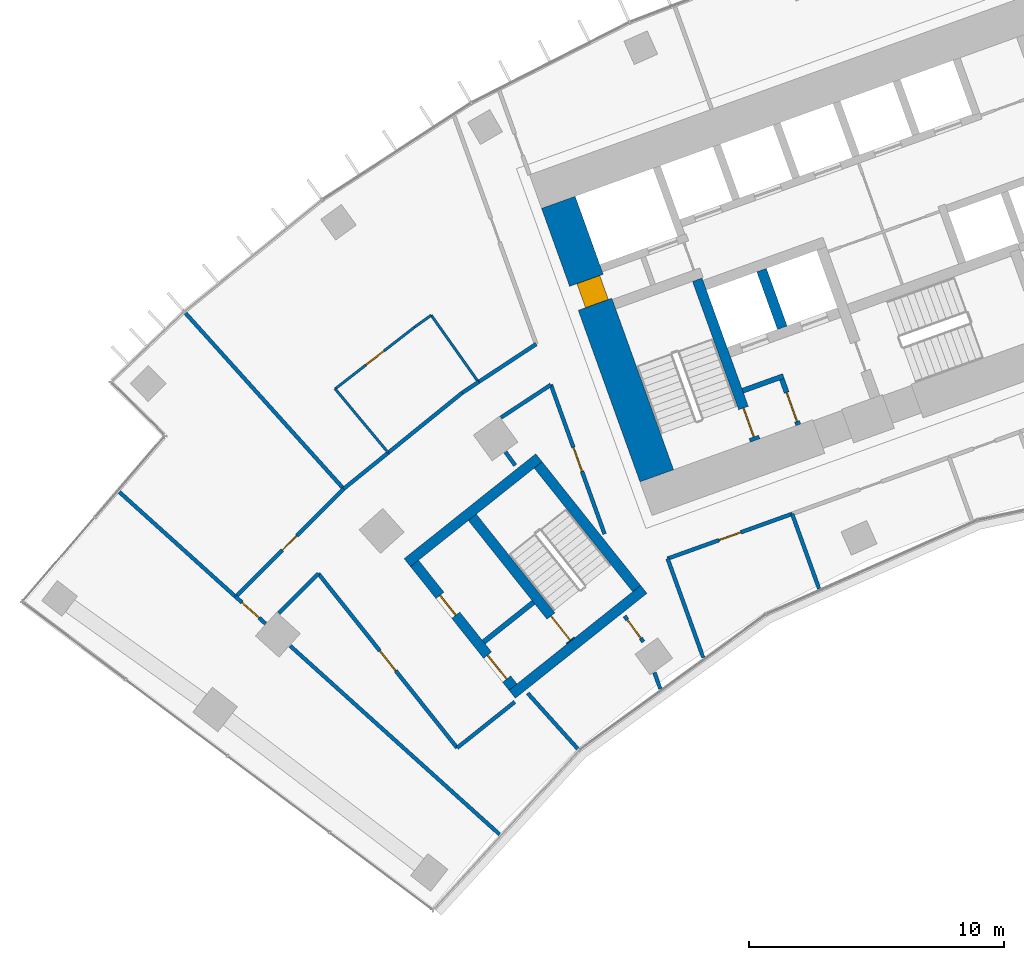
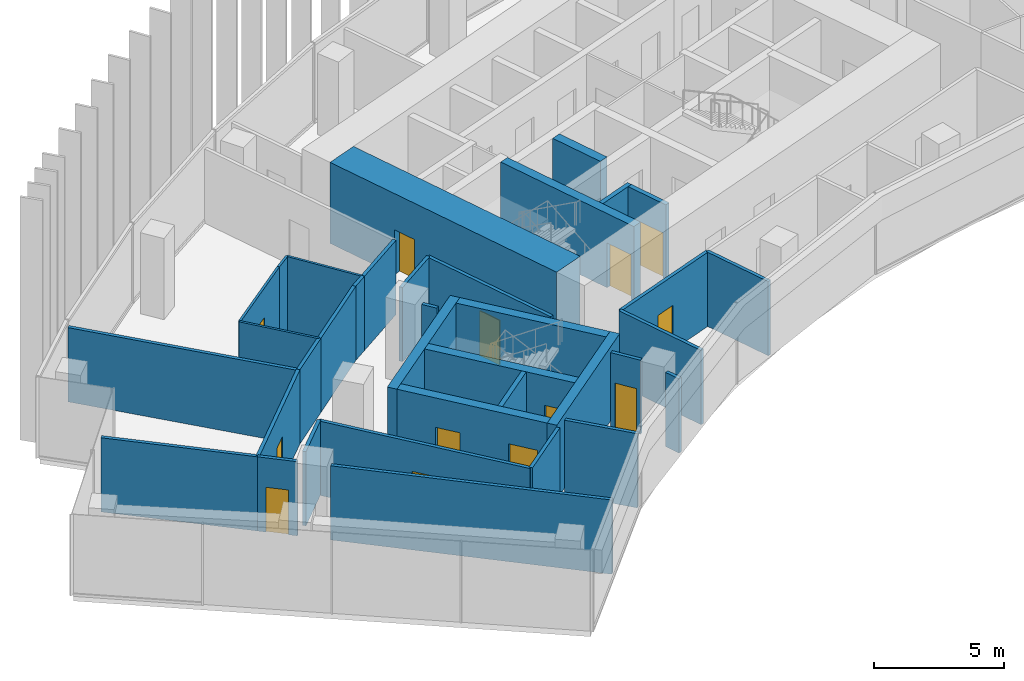
# One storey, part 15 of 23: 36 walls, 13 doors, 13 openings.
"""IFC4 building model written with IfcOpenShell, lengths in metres."""

import ifcopenshell
import ifcopenshell.guid

model = None  # the IFC model being written
_history = None  # IfcOwnerHistory: only IFC2X3 demands one
_inside = {}  # id of a spatial element -> (the spatial element, [elements in it])
_under = {}  # id of a project, library or spatial element -> (it, [spatial elements below it])
_declared = {}  # id of a project -> (the project, [libraries it declares])
_typed = {}  # id of a type object -> (the type object, [elements of that type])
_made_of = {}  # id of a material, layer set ... -> (it, [elements and type objects made of it])


def new_model(schema):
    """Start an empty IFC model of exactly this schema.

    Asked for "IFC4X3", IfcOpenShell would pick the latest addendum, in which some entities
    have other attributes; the version numbers below select the first issue.
    IFC2X3 requires an IfcOwnerHistory on every rooted entity: one is made here for all.
    """
    global model, _history
    if schema == "IFC4X3":
        model = ifcopenshell.file(schema_version=(4, 3, 0, 0))
    else:
        model = ifcopenshell.file(schema=schema)
    _inside.clear()
    _under.clear()
    _declared.clear()
    _typed.clear()
    _made_of.clear()
    _history = None
    if model.schema == "IFC2X3":
        org = make("IfcOrganization", Name="unknown")
        user = make(
            "IfcPersonAndOrganization",
            ThePerson=make("IfcPerson", FamilyName="unknown"),
            TheOrganization=org,
        )
        app = make(
            "IfcApplication",
            ApplicationDeveloper=org,
            Version="unknown",
            ApplicationFullName="unknown",
            ApplicationIdentifier="unknown",
        )
        _history = make(
            "IfcOwnerHistory",
            OwningUser=user,
            OwningApplication=app,
            ChangeAction="ADDED",
            CreationDate=0,
        )
    return model


def make(cls, **values):
    """One entity of the class cls with the attributes given. An attribute that is None is left unset."""
    return model.create_entity(
        cls, **{name: value for name, value in values.items() if value is not None}
    )


def rooted(cls, **values):
    """An entity with a GlobalId (a new one), such as an element, a storey or a relation."""
    return make(cls, GlobalId=ifcopenshell.guid.new(), OwnerHistory=_history, **values)


def si_unit(unit_type, name, prefix=None):
    """IfcSIUnit, for example si_unit("LENGTHUNIT", "METRE", prefix="MILLI")."""
    return make("IfcSIUnit", UnitType=unit_type, Prefix=prefix, Name=name)


def assignment(units):
    """IfcUnitAssignment: the units of a project."""
    return None if units is None else make("IfcUnitAssignment", Units=units)


def point(xyz):
    """IfcCartesianPoint."""
    return None if xyz is None else make("IfcCartesianPoint", Coordinates=xyz)


def direction(xyz):
    """IfcDirection."""
    return None if xyz is None else make("IfcDirection", DirectionRatios=xyz)


def frame(location, z_axis=None, x_axis=None):
    """IfcAxis2Placement3D, a coordinate frame: its origin and axes. An axis left out is left unset."""
    return make(
        "IfcAxis2Placement3D",
        Location=point(location),
        Axis=direction(z_axis),
        RefDirection=direction(x_axis),
    )


def frame_2d(location, x_axis=None):
    """IfcAxis2Placement2D, a coordinate frame in the plane: its origin and x axis."""
    return make(
        "IfcAxis2Placement2D", Location=point(location), RefDirection=direction(x_axis)
    )


def origin():
    """The frame at (0, 0, 0) with its axes left unset."""
    return frame((0.0, 0.0, 0.0))


def place(relative_to, where):
    """IfcLocalPlacement: puts the frame where relative to a parent placement (None: the world)."""
    return make(
        "IfcLocalPlacement", PlacementRelTo=relative_to, RelativePlacement=where
    )


def context(
    kind, dimensions, precision=None, world=None, true_north=None, identifier=None
):
    """IfcGeometricRepresentationContext, for example the 3D "Model" context."""
    return make(
        "IfcGeometricRepresentationContext",
        ContextIdentifier=identifier,
        ContextType=kind,
        CoordinateSpaceDimension=dimensions,
        Precision=precision,
        WorldCoordinateSystem=world,
        TrueNorth=true_north,
    )


def subcontext(parent, identifier, kind, view, scale=None):
    """IfcGeometricRepresentationSubContext, for example "Body" below "Model"."""
    return make(
        "IfcGeometricRepresentationSubContext",
        ContextIdentifier=identifier,
        ContextType=kind,
        ParentContext=parent,
        TargetScale=scale,
        TargetView=view,
    )


def project(units=None, contexts=None):
    """IfcProject with its units and contexts."""
    return rooted(
        "IfcProject",
        Name="project",
        RepresentationContexts=contexts,
        UnitsInContext=assignment(units),
    )


def spatial(cls, under=None, at=None, **own):
    """A site, building, storey or space (cls), placed at a placement, below another one or the project."""
    s = rooted(cls, ObjectPlacement=at, **own)
    if under is not None:
        _under.setdefault(under.id(), (under, []))[1].append(s)
    return s


def profile(cls, at=None, kind="AREA", **sizes):
    """A parametric profile (cls). Its sizes go by their IFC names, for example OverallWidth=200.0."""
    return make(cls, ProfileType=kind, Position=at, **sizes)


def rectangle(**sizes):
    """IfcRectangleProfileDef."""
    return profile("IfcRectangleProfileDef", **sizes)


def extrude(swept, where, along, depth):
    """IfcExtrudedAreaSolid: the profile swept, set in the frame where, extruded along a direction by depth."""
    return make(
        "IfcExtrudedAreaSolid",
        SweptArea=swept,
        Position=where,
        ExtrudedDirection=direction(along),
        Depth=depth,
    )


def shape(context_of_items, identifier, shape_type, items):
    """IfcShapeRepresentation: the items that make up one representation, for example the "Body"."""
    return make(
        "IfcShapeRepresentation",
        ContextOfItems=context_of_items,
        RepresentationIdentifier=identifier,
        RepresentationType=shape_type,
        Items=items,
    )


def material(Name=None, Category=None):
    """IfcMaterial."""
    return make("IfcMaterial", Name=Name, Category=Category)


def layer(
    of_material, thickness, ventilated=None, Name=None, Category=None, Priority=None
):
    """IfcMaterialLayer: one layer of a wall or slab, of a material (None: an air gap)."""
    return make(
        "IfcMaterialLayer",
        Material=of_material,
        LayerThickness=thickness,
        IsVentilated=ventilated,
        Name=Name,
        Category=Category,
        Priority=Priority,
    )


def layer_set(layers, Name=None):
    """IfcMaterialLayerSet."""
    return make("IfcMaterialLayerSet", MaterialLayers=layers, LayerSetName=Name)


def made_of(thing, what):
    """Note that an element or type object is made of a material, layer set ...; save() writes the relation."""
    if what is not None:
        _made_of.setdefault(what.id(), (what, []))[1].append(thing)
    return thing


def type_object(cls, material=None, **own):
    """A type object (cls), such as IfcWallType, which elements share."""
    return made_of(rooted(cls, **own), material)


def element(
    cls,
    number,
    at=None,
    inside=None,
    cuts=None,
    type_object=None,
    material=None,
    context=None,
    identifier="Body",
    shape_type=None,
    held_by="IfcProductDefinitionShape",
    body=None,
    shapes=None,
    **own,
):
    """One element of the class cls, such as IfcWall. Its Tag is "e" and its number.

    at: its placement. inside: the storey or other place that contains it. cuts: it is an
    opening in that element (IfcRelVoidsElement). A single representation is given by context,
    identifier, shape_type and body (its items); several are given by shapes. held_by: the class
    of the entity that holds the representations. save() writes the other relations.
    """
    e = rooted(cls, Tag="e%d" % number, ObjectPlacement=at, **own)
    if body is not None:
        shapes = [shape(context, identifier, shape_type, body)]
    if shapes is not None:
        e.Representation = make(held_by, Representations=shapes)
    if inside is not None:
        _inside.setdefault(inside.id(), (inside, []))[1].append(e)
    if cuts is not None:
        rooted(
            "IfcRelVoidsElement", RelatingBuildingElement=cuts, RelatedOpeningElement=e
        )
    if type_object is not None:
        _typed.setdefault(type_object.id(), (type_object, []))[1].append(e)
    return made_of(e, material)


def fill(opening, filler):
    """IfcRelFillsElement: the door or window that sits in an opening."""
    return rooted(
        "IfcRelFillsElement",
        RelatingOpeningElement=opening,
        RelatedBuildingElement=filler,
    )


def aggregate(whole, parts):
    """IfcRelAggregates: a whole, such as a stair, and the parts it consists of."""
    return rooted("IfcRelAggregates", RelatingObject=whole, RelatedObjects=parts)


def save(model, path):
    """Write the relations noted so far, then the file.

    IfcRelAggregates (storeys below a building ...), IfcRelContainedInSpatialStructure (elements
    in a storey), IfcRelDefinesByType, IfcRelAssociatesMaterial and IfcRelDeclares: one each for
    every whole, place, type object, material and project.
    """
    for whole, parts in _under.values():
        aggregate(whole, parts)
    for where, things in _inside.values():
        rooted(
            "IfcRelContainedInSpatialStructure",
            RelatedElements=things,
            RelatingStructure=where,
        )
    for kind, things in _typed.values():
        rooted("IfcRelDefinesByType", RelatedObjects=things, RelatingType=kind)
    for what, things in _made_of.values():
        rooted("IfcRelAssociatesMaterial", RelatedObjects=things, RelatingMaterial=what)
    for by, libraries in _declared.values():
        rooted("IfcRelDeclares", RelatingContext=by, RelatedDefinitions=libraries)
    model.write(path)


model = new_model("IFC4")

# Units and contexts
model_context = context("Model", 3, precision=1e-05, world=origin(), true_north=direction((0.0, 1.0)))
body_context = subcontext(model_context, "Body", "Model", "MODEL_VIEW")
ifc_project = project(units=[si_unit("LENGTHUNIT", "METRE"), si_unit("AREAUNIT", "SQUARE_METRE"), si_unit("VOLUMEUNIT", "CUBIC_METRE"), si_unit("PLANEANGLEUNIT", "RADIAN"), si_unit("MASSUNIT", "GRAM", prefix="KILO")], contexts=[model_context])

# Site, building, storey
site_placement = place(None, origin())
site = spatial("IfcSite", under=ifc_project, at=site_placement, CompositionType="ELEMENT")
building_placement = place(site_placement, origin())
building = spatial("IfcBuilding", under=site, at=building_placement, Name="Stone Belt Terrace Tower", CompositionType="ELEMENT")
storey_placement = place(building_placement, frame((0.0, 0.0, 166.800048828125)))
storey = spatial("IfcBuildingStorey", under=building, at=storey_placement, Name="L40", CompositionType="ELEMENT", Elevation=166.800048828125)

# Wall, opening, door
ifc_material_1 = material(Name="Concrete B80", Category="concrete")
ifc_layer_1 = layer(ifc_material_1, 1.39990234375)
ifc_layer_set_1 = layer_set([ifc_layer_1], Name="Core wall 1400 B80")
wall_type_1 = type_object("IfcWallType", Name="Core wall 1400 B80", PredefinedType="SHEAR", material=ifc_layer_set_1)
wall_1_placement = place(storey_placement, frame((-26.00927734375, 43.03515625, 0.0), z_axis=(0.0, 0.0, 1.0), x_axis=(-0.338625431531, 0.940921259788, 0.0)))
wall_1 = element("IfcWall", 1, at=wall_1_placement, inside=storey, type_object=wall_type_1, Name="Core A wall end_a L40", PredefinedType="SHEAR", context=body_context, shape_type="SweptSolid", body=[
    extrude(rectangle(XDim=11.400146484375, YDim=1.39990234375, at=frame_2d((5.7001953125, 0.0))), origin(), (0.0, 0.0, 1.0), 3.800048828125),
])
opening_1_placement = place(wall_1_placement, frame((7.14990234375, 0.0, 0.0)))
opening_1 = element("IfcOpeningElement", 2, at=opening_1_placement, cuts=wall_1, Name="Opening L40-C04", PredefinedType="OPENING", context=body_context, shape_type="SweptSolid", body=[
    extrude(rectangle(XDim=1.0, YDim=2.10009765625, at=frame_2d((0.5, 1.050048828125))), frame((0.0, 0.7099609375, 0.0), z_axis=(0.0, -1.0, 0.0), x_axis=(1.0, 0.0, 0.0)), (0.0, 0.0, 1.0), 1.419921875),
])
ifc_material_2 = material(Name="Timber door leaf", Category="wood")
door_type_1 = type_object("IfcDoorType", Name="Core room door 1000", OperationType="SINGLE_SWING_LEFT", PredefinedType="DOOR", material=ifc_material_2)
door_1_placement = place(opening_1_placement, origin())
door_1 = element("IfcDoor", 3, at=door_1_placement, inside=storey, type_object=door_type_1, Name="Door to Telecommunications riser room core A", OperationType="SINGLE_SWING_RIGHT", OverallHeight=2.10009765625, OverallWidth=1.0, PredefinedType="DOOR", context=body_context, shape_type="SweptSolid", body=[
    extrude(rectangle(XDim=1.0, YDim=2.10009765625, at=frame_2d((0.5, 1.050048828125))), frame((0.0, 0.39501953125, 0.0), z_axis=(0.0, -1.0, 0.0), x_axis=(1.0, 0.0, 0.0)), (0.0, 0.0, 1.0), 0.949951171875),
])
fill(opening_1, door_1)

# Walls
ifc_layer_2 = layer(ifc_material_1, 0.39990234375)
ifc_layer_set_2 = layer_set([ifc_layer_2], Name="Fire-fighting lift shaft wall 400")
wall_type_2 = type_object("IfcWallType", Name="Fire-fighting lift shaft wall 400", PredefinedType="SHEAR", material=ifc_layer_set_2)
wall_2_placement = place(storey_placement, frame((-21.0859375, 48.845458984375, 0.0), z_axis=(0.0, 0.0, 1.0), x_axis=(-0.338629416206, 0.940919825745, 0.0)))
element("IfcWall", 4, at=wall_2_placement, inside=storey, type_object=wall_type_2, Name="Core A wall", PredefinedType="SHEAR", context=body_context, shape_type="SweptSolid", body=[
    extrude(rectangle(XDim=2.400146484375, YDim=0.39990234375, at=frame_2d((1.2001953125, 0.0))), origin(), (0.0, 0.0, 1.0), 3.47998046875),
])
ifc_material_3 = material(Name="Gypsum board partition")
ifc_layer_3 = layer(ifc_material_3, 0.10009765625)
ifc_layer_set_3 = layer_set([ifc_layer_3], Name="PARTITION 100")
wall_type_3 = type_object("IfcWallType", Name="PARTITION 100", PredefinedType="PARTITIONING", material=ifc_layer_set_3)
wall_3_placement = place(storey_placement, frame((-33.00390625, 46.7119140625, 0.0), z_axis=(0.0, 0.0, 1.0), x_axis=(-0.576987586469, 0.81675291555, 0.0)))
element("IfcWall", 5, at=wall_3_placement, inside=storey, type_object=wall_type_3, Name="L40/wall/i056", PredefinedType="PARTITIONING", context=body_context, shape_type="SweptSolid", body=[
    extrude(rectangle(XDim=3.211669921875, YDim=0.10009765625, at=frame_2d((1.60595703125, 0.0))), origin(), (0.0, 0.0, 1.0), 3.47998046875),
])
wall_4_placement = place(storey_placement, frame((-34.85693359375, 49.3349609375, 0.0), z_axis=(0.0, 0.0, 1.0), x_axis=(-0.813051119642, -0.582192302293, 0.0)))
element("IfcWall", 6, at=wall_4_placement, inside=storey, type_object=wall_type_3, Name="L40/wall/i057", PredefinedType="PARTITIONING", context=body_context, shape_type="SweptSolid", body=[
    extrude(rectangle(XDim=0.79833984375, YDim=0.10009765625, at=frame_2d((0.399169921875, 0.0))), origin(), (0.0, 0.0, 1.0), 3.47998046875),
])

# Wall, opening, door
wall_5_placement = place(storey_placement, frame((-35.506103515625, 48.8701171875, 0.0), z_axis=(0.0, 0.0, 1.0), x_axis=(-0.789445377815, -0.613820817052, 0.0)))
wall_5 = element("IfcWall", 7, at=wall_5_placement, inside=storey, type_object=wall_type_3, Name="L40/wall/i058", PredefinedType="PARTITIONING", context=body_context, shape_type="SweptSolid", body=[
    extrude(rectangle(XDim=3.95068359375, YDim=0.10009765625, at=frame_2d((1.975341796875, 0.0))), origin(), (0.0, 0.0, 1.0), 3.47998046875),
])
opening_2_placement = place(wall_5_placement, frame((1.525390625, 0.0, 0.0)))
opening_2 = element("IfcOpeningElement", 8, at=opening_2_placement, cuts=wall_5, Name="Opening D-C2-17", PredefinedType="OPENING", context=body_context, shape_type="SweptSolid", body=[
    extrude(rectangle(XDim=0.89990234375, YDim=2.10009765625, at=frame_2d((0.449951171875, 1.050048828125))), frame((0.0, 0.06005859375, 0.0), z_axis=(0.0, -1.0, 0.0), x_axis=(1.0, 0.0, 0.0)), (0.0, 0.0, 1.0), 0.1201171875),
])
door_type_2 = type_object("IfcDoorType", Name="OFFICE DOOR 900 X 2100", OperationType="NOTDEFINED", PredefinedType="DOOR", material=ifc_material_2)
door_2_placement = place(opening_2_placement, origin())
door_2 = element("IfcDoor", 9, at=door_2_placement, inside=storey, type_object=door_type_2, Name="L40/door/i17", OperationType="SINGLE_SWING_RIGHT", OverallHeight=2.10009765625, OverallWidth=0.89990234375, PredefinedType="DOOR", context=body_context, shape_type="SweptSolid", body=[
    extrude(rectangle(XDim=0.89990234375, YDim=2.10009765625, at=frame_2d((0.449951171875, 1.050048828125))), frame((0.0, 0.02490234375, 0.0), z_axis=(0.0, -1.0, 0.0), x_axis=(1.0, 0.0, 0.0)), (0.0, 0.0, 1.0), 0.050048828125),
])
fill(opening_2, door_2)

# Walls
wall_6_placement = place(storey_placement, frame((-38.625, 46.445068359375, 0.0), z_axis=(0.0, 0.0, 1.0), x_axis=(0.639468695187, -0.768817135524, 0.0)))
element("IfcWall", 10, at=wall_6_placement, inside=storey, type_object=wall_type_3, Name="L40/wall/i059", PredefinedType="PARTITIONING", context=body_context, shape_type="SweptSolid", body=[
    extrude(rectangle(XDim=3.255859375, YDim=0.10009765625, at=frame_2d((1.6279296875, 0.0))), origin(), (0.0, 0.0, 1.0), 3.47998046875),
])
ifc_layer_4 = layer(ifc_material_3, 0.14990234375)
ifc_layer_set_4 = layer_set([ifc_layer_4], Name="PARTITION 150 EI 60")
wall_type_4 = type_object("IfcWallType", Name="PARTITION 150 EI 60", PredefinedType="PARTITIONING", material=ifc_layer_set_4)
wall_7_placement = place(storey_placement, frame((-25.5859375, 39.79296875, 0.0), z_axis=(0.0, 0.0, 1.0), x_axis=(0.338545933013, -0.940949866486, 0.0)))
element("IfcWall", 11, at=wall_7_placement, inside=storey, type_object=wall_type_4, Name="L40/wall/i001", PredefinedType="PARTITIONING", context=body_context, shape_type="SweptSolid", body=[
    extrude(rectangle(XDim=4.135009765625, YDim=0.14990234375, at=frame_2d((2.0673828125, 0.0))), origin(), (0.0, 0.0, 1.0), 3.47998046875),
])

# Wall, opening, door
wall_8_placement = place(storey_placement, frame((-28.05810546875, 40.75390625, 0.0), z_axis=(0.0, 0.0, 1.0), x_axis=(-0.338523697563, 0.94095786632, 0.0)))
wall_8 = element("IfcWall", 12, at=wall_8_placement, inside=storey, type_object=wall_type_4, Name="L40/wall/i003", PredefinedType="PARTITIONING", context=body_context, shape_type="SweptSolid", body=[
    extrude(rectangle(XDim=6.226806640625, YDim=0.14990234375, at=frame_2d((3.11328125, 0.0))), origin(), (0.0, 0.0, 1.0), 3.47998046875),
])
opening_3_placement = place(wall_8_placement, frame((2.61328125, 0.0, 0.0)))
opening_3 = element("IfcOpeningElement", 13, at=opening_3_placement, cuts=wall_8, Name="Opening D-C2-13", PredefinedType="OPENING", context=body_context, shape_type="SweptSolid", body=[
    extrude(rectangle(XDim=1.0, YDim=2.10009765625, at=frame_2d((0.5, 1.050048828125))), frame((0.0, 0.0849609375, 0.0), z_axis=(0.0, -1.0, 0.0), x_axis=(1.0, 0.0, 0.0)), (0.0, 0.0, 1.0), 0.169921875),
])
ifc_material_4 = material(Name="Timber fire door leaf", Category="wood")
door_type_3 = type_object("IfcDoorType", Name="TENANCY ENTRANCE DOOR 1000 X 2100", OperationType="NOTDEFINED", PredefinedType="DOOR", material=ifc_material_4)
door_3_placement = place(opening_3_placement, origin())
door_3 = element("IfcDoor", 14, at=door_3_placement, inside=storey, type_object=door_type_3, Name="L40/door/i13", OperationType="SINGLE_SWING_RIGHT", OverallHeight=2.10009765625, OverallWidth=1.0, PredefinedType="DOOR", context=body_context, shape_type="SweptSolid", body=[
    extrude(rectangle(XDim=1.0, YDim=2.10009765625, at=frame_2d((0.5, 1.050048828125))), frame((0.0, 0.02490234375, 0.0), z_axis=(0.0, -1.0, 0.0), x_axis=(1.0, 0.0, 0.0)), (0.0, 0.0, 1.0), 0.050048828125),
])
fill(opening_3, door_3)

# Wall
wall_9_placement = place(storey_placement, frame((-25.870849609375, 34.67822265625, 0.0), z_axis=(0.0, 0.0, 1.0), x_axis=(-0.338744881741, 0.940878262632, 0.0)))
element("IfcWall", 15, at=wall_9_placement, inside=storey, type_object=wall_type_4, Name="L40/wall/i004", PredefinedType="PARTITIONING", context=body_context, shape_type="SweptSolid", body=[
    extrude(rectangle(XDim=0.680419921875, YDim=0.14990234375, at=frame_2d((0.34033203125, 0.0))), origin(), (0.0, 0.0, 1.0), 3.47998046875),
])

# Wall, opening, door
wall_10_placement = place(storey_placement, frame((-26.534912109375, 36.52294921875, 0.0), z_axis=(0.0, 0.0, 1.0), x_axis=(-0.58822969918, 0.80869389821, 0.0)))
wall_10 = element("IfcWall", 16, at=wall_10_placement, inside=storey, type_object=wall_type_4, Name="L40/wall/i005", PredefinedType="PARTITIONING", context=body_context, shape_type="SweptSolid", body=[
    extrude(rectangle(XDim=1.25146484375, YDim=0.14990234375, at=frame_2d((0.625732421875, 0.0))), origin(), (0.0, 0.0, 1.0), 3.47998046875),
])
opening_4_placement = place(wall_10_placement, frame((0.17578125, 0.0, 0.0)))
opening_4 = element("IfcOpeningElement", 17, at=opening_4_placement, cuts=wall_10, Name="Opening D-C2-14", PredefinedType="OPENING", context=body_context, shape_type="SweptSolid", body=[
    extrude(rectangle(XDim=0.89990234375, YDim=2.10009765625, at=frame_2d((0.449951171875, 1.050048828125))), frame((0.0, 0.0849609375, 0.0), z_axis=(0.0, -1.0, 0.0), x_axis=(1.0, 0.0, 0.0)), (0.0, 0.0, 1.0), 0.169921875),
])
door_4_placement = place(opening_4_placement, origin())
door_4 = element("IfcDoor", 18, at=door_4_placement, inside=storey, type_object=door_type_2, Name="L40/door/i14", OperationType="SINGLE_SWING_RIGHT", OverallHeight=2.10009765625, OverallWidth=0.89990234375, PredefinedType="DOOR", context=body_context, shape_type="SweptSolid", body=[
    extrude(rectangle(XDim=0.89990234375, YDim=2.10009765625, at=frame_2d((0.449951171875, 1.050048828125))), frame((0.0, 0.02490234375, 0.0), z_axis=(0.0, -1.0, 0.0), x_axis=(1.0, 0.0, 0.0)), (0.0, 0.0, 1.0), 0.050048828125),
])
fill(opening_4, door_4)

wall_11_placement = place(storey_placement, frame((-20.695068359375, 41.5458984375, 0.0), z_axis=(0.0, 0.0, 1.0), x_axis=(-0.940962265719, -0.338511468776, 0.0)))
wall_11 = element("IfcWall", 19, at=wall_11_placement, inside=storey, type_object=wall_type_4, Name="L40/wall/i014", PredefinedType="PARTITIONING", context=body_context, shape_type="SweptSolid", body=[
    extrude(rectangle(XDim=5.195556640625, YDim=0.14990234375, at=frame_2d((2.59765625, 0.0))), origin(), (0.0, 0.0, 1.0), 3.47998046875),
])
opening_5_placement = place(wall_11_placement, frame((2.14794921875, 0.0, 0.0)))
opening_5 = element("IfcOpeningElement", 20, at=opening_5_placement, cuts=wall_11, Name="Opening D-C2-01", PredefinedType="OPENING", context=body_context, shape_type="SweptSolid", body=[
    extrude(rectangle(XDim=0.89990234375, YDim=2.10009765625, at=frame_2d((0.449951171875, 1.050048828125))), frame((0.0, 0.0849609375, 0.0), z_axis=(0.0, -1.0, 0.0), x_axis=(1.0, 0.0, 0.0)), (0.0, 0.0, 1.0), 0.169921875),
])
door_5_placement = place(opening_5_placement, origin())
door_5 = element("IfcDoor", 21, at=door_5_placement, inside=storey, type_object=door_type_2, Name="L40/door/i01", OperationType="SINGLE_SWING_RIGHT", OverallHeight=2.10009765625, OverallWidth=0.89990234375, PredefinedType="DOOR", context=body_context, shape_type="SweptSolid", body=[
    extrude(rectangle(XDim=0.89990234375, YDim=2.10009765625, at=frame_2d((0.449951171875, 1.050048828125))), frame((0.0, 0.02490234375, 0.0), z_axis=(0.0, -1.0, 0.0), x_axis=(1.0, 0.0, 0.0)), (0.0, 0.0, 1.0), 0.050048828125),
])
fill(opening_5, door_5)

# Wall
wall_12_placement = place(storey_placement, frame((-20.700927734375, 41.5439453125, 0.0), z_axis=(0.0, 0.0, 1.0), x_axis=(0.338730556493, -0.940883420036, 0.0)))
element("IfcWall", 22, at=wall_12_placement, inside=storey, type_object=wall_type_4, Name="L40/wall/i018", PredefinedType="PARTITIONING", context=body_context, shape_type="SweptSolid", body=[
    extrude(rectangle(XDim=3.11865234375, YDim=0.14990234375, at=frame_2d((1.559326171875, 0.0))), origin(), (0.0, 0.0, 1.0), 3.47998046875),
])

# Wall, opening, door
wall_13_placement = place(storey_placement, frame((-41.35986328125, 37.240478515625, 0.0), z_axis=(0.0, 0.0, 1.0), x_axis=(-0.742885543222, 0.669418456327, 0.0)))
wall_13 = element("IfcWall", 23, at=wall_13_placement, inside=storey, type_object=wall_type_4, Name="L40/wall/i042", PredefinedType="PARTITIONING", context=body_context, shape_type="SweptSolid", body=[
    extrude(rectangle(XDim=1.5751953125, YDim=0.14990234375, at=frame_2d((0.78759765625, 0.0))), origin(), (0.0, 0.0, 1.0), 3.47998046875),
])
opening_6_placement = place(wall_13_placement, frame((0.337646484375, 0.0, 0.0)))
opening_6 = element("IfcOpeningElement", 24, at=opening_6_placement, cuts=wall_13, Name="Opening D-C2-12", PredefinedType="OPENING", context=body_context, shape_type="SweptSolid", body=[
    extrude(rectangle(XDim=0.89990234375, YDim=2.10009765625, at=frame_2d((0.449951171875, 1.050048828125))), frame((0.0, 0.0849609375, 0.0), z_axis=(0.0, -1.0, 0.0), x_axis=(1.0, 0.0, 0.0)), (0.0, 0.0, 1.0), 0.169921875),
])
door_type_4 = type_object("IfcDoorType", Name="TENANCY ENTRANCE DOOR 900 X 2100", OperationType="NOTDEFINED", PredefinedType="DOOR", material=ifc_material_4)
door_6_placement = place(opening_6_placement, origin())
door_6 = element("IfcDoor", 25, at=door_6_placement, inside=storey, type_object=door_type_4, Name="L40/door/i12", OperationType="SINGLE_SWING_RIGHT", OverallHeight=2.10009765625, OverallWidth=0.89990234375, PredefinedType="DOOR", context=body_context, shape_type="SweptSolid", body=[
    extrude(rectangle(XDim=0.89990234375, YDim=2.10009765625, at=frame_2d((0.449951171875, 1.050048828125))), frame((0.0, 0.02490234375, 0.0), z_axis=(0.0, -1.0, 0.0), x_axis=(1.0, 0.0, 0.0)), (0.0, 0.0, 1.0), 0.050048828125),
])
fill(opening_6, door_6)

# Walls
wall_14_placement = place(storey_placement, frame((-40.385986328125, 36.3642578125, 0.0), z_axis=(0.0, 0.0, 1.0), x_axis=(0.743128216334, -0.669149052221, 0.0)))
element("IfcWall", 26, at=wall_14_placement, inside=storey, type_object=wall_type_4, Name="L40/wall/i043", PredefinedType="PARTITIONING", context=body_context, shape_type="SweptSolid", body=[
    extrude(rectangle(XDim=11.048828125, YDim=0.14990234375, at=frame_2d((5.5244140625, 0.0))), origin(), (0.0, 0.0, 1.0), 3.47998046875),
])
wall_15_placement = place(storey_placement, frame((-47.09228515625, 42.40283203125, 0.0), z_axis=(0.0, 0.0, 1.0), x_axis=(0.743096733758, -0.669184013765, 0.0)))
element("IfcWall", 27, at=wall_15_placement, inside=storey, type_object=wall_type_4, Name="L40/wall/i044", PredefinedType="PARTITIONING", context=body_context, shape_type="SweptSolid", body=[
    extrude(rectangle(XDim=6.150390625, YDim=0.14990234375, at=frame_2d((3.0751953125, 0.0))), origin(), (0.0, 0.0, 1.0), 3.47998046875),
])
wall_16_placement = place(storey_placement, frame((-30.1650390625, 46.60595703125, 0.0), z_axis=(0.0, 0.0, 1.0), x_axis=(-0.835424653074, -0.549604993641, 0.0)))
element("IfcWall", 28, at=wall_16_placement, inside=storey, type_object=wall_type_4, Name="L40/wall/i045", PredefinedType="PARTITIONING", context=body_context, shape_type="SweptSolid", body=[
    extrude(rectangle(XDim=2.337890625, YDim=0.14990234375, at=frame_2d((1.1689453125, 0.0))), origin(), (0.0, 0.0, 1.0), 3.47998046875),
])
wall_17_placement = place(storey_placement, frame((-31.943115234375, 43.966064453125, 0.0), z_axis=(0.0, 0.0, 1.0), x_axis=(0.588149120926, -0.808752503275, 0.0)))
element("IfcWall", 29, at=wall_17_placement, inside=storey, type_object=wall_type_4, Name="L40/wall/i046", PredefinedType="PARTITIONING", context=body_context, shape_type="SweptSolid", body=[
    extrude(rectangle(XDim=0.64306640625, YDim=0.14990234375, at=frame_2d((0.321533203125, 0.0))), origin(), (0.0, 0.0, 1.0), 3.47998046875),
])
wall_18_placement = place(storey_placement, frame((-39.281982421875, 39.205078125, 0.0), z_axis=(0.0, 0.0, 1.0), x_axis=(-0.707106781187, -0.707106781187, 0.0)))
element("IfcWall", 30, at=wall_18_placement, inside=storey, type_object=wall_type_4, Name="L40/wall/i047", PredefinedType="PARTITIONING", context=body_context, shape_type="SweptSolid", body=[
    extrude(rectangle(XDim=2.1982421875, YDim=0.14990234375, at=frame_2d((1.09912109375, 0.0))), origin(), (0.0, 0.0, 1.0), 3.47998046875),
])
wall_19_placement = place(storey_placement, frame((-38.2900390625, 42.527099609375, 0.0), z_axis=(0.0, 0.0, 1.0), x_axis=(0.777305407687, 0.629123440336, 0.0)))
element("IfcWall", 31, at=wall_19_placement, inside=storey, type_object=wall_type_4, Name="L40/wall/i048", PredefinedType="PARTITIONING", context=body_context, shape_type="SweptSolid", body=[
    extrude(rectangle(XDim=2.25390625, YDim=0.14990234375, at=frame_2d((1.126953125, 0.0))), origin(), (0.0, 0.0, 1.0), 3.47998046875),
])
wall_20_placement = place(storey_placement, frame((-33.009033203125, 46.708984375, 0.0), z_axis=(0.0, 0.0, 1.0), x_axis=(0.835338913682, 0.549735299292, 0.0)))
element("IfcWall", 32, at=wall_20_placement, inside=storey, type_object=wall_type_4, Name="L40/wall/i049", PredefinedType="PARTITIONING", context=body_context, shape_type="SweptSolid", body=[
    extrude(rectangle(XDim=2.717529296875, YDim=0.14990234375, at=frame_2d((1.35888671875, 0.0))), origin(), (0.0, 0.0, 1.0), 3.47998046875),
])
wall_21_placement = place(storey_placement, frame((-36.547119140625, 43.93798828125, 0.0), z_axis=(0.0, 0.0, 1.0), x_axis=(0.777077902993, 0.629404426963, 0.0)))
element("IfcWall", 33, at=wall_21_placement, inside=storey, type_object=wall_type_4, Name="L40/wall/i050", PredefinedType="PARTITIONING", context=body_context, shape_type="SweptSolid", body=[
    extrude(rectangle(XDim=3.746337890625, YDim=0.14990234375, at=frame_2d((1.873046875, 0.0))), origin(), (0.0, 0.0, 1.0), 3.47998046875),
])
wall_22_placement = place(storey_placement, frame((-33.635986328125, 46.2958984375, 0.0), z_axis=(0.0, 0.0, 1.0), x_axis=(0.835335830137, 0.549739984801, 0.0)))
element("IfcWall", 34, at=wall_22_placement, inside=storey, type_object=wall_type_4, Name="L40/wall/i051", PredefinedType="PARTITIONING", context=body_context, shape_type="SweptSolid", body=[
    extrude(rectangle(XDim=0.762451171875, YDim=0.14990234375, at=frame_2d((0.38134765625, 0.0))), origin(), (0.0, 0.0, 1.0), 3.47998046875),
])

# Wall, opening, door
wall_23_placement = place(storey_placement, frame((-42.52587890625, 38.291015625, 0.0), z_axis=(0.0, 0.0, 1.0), x_axis=(0.707106781187, 0.707106781187, 0.0)))
wall_23 = element("IfcWall", 35, at=wall_23_placement, inside=storey, type_object=wall_type_4, Name="L40/wall/i052", PredefinedType="PARTITIONING", context=body_context, shape_type="SweptSolid", body=[
    extrude(rectangle(XDim=5.989013671875, YDim=0.14990234375, at=frame_2d((2.99462890625, 0.0))), origin(), (0.0, 0.0, 1.0), 3.47998046875),
])
opening_7_placement = place(wall_23_placement, frame((2.594482421875, 0.0, 0.0)))
opening_7 = element("IfcOpeningElement", 36, at=opening_7_placement, cuts=wall_23, Name="Opening D-C2-18", PredefinedType="OPENING", context=body_context, shape_type="SweptSolid", body=[
    extrude(rectangle(XDim=0.800048828125, YDim=2.10009765625, at=frame_2d((0.39990234375, 1.050048828125))), frame((0.0, 0.0849609375, 0.0), z_axis=(0.0, -1.0, 0.0), x_axis=(1.0, 0.0, 0.0)), (0.0, 0.0, 1.0), 0.169921875),
])
door_type_5 = type_object("IfcDoorType", Name="STORE DOOR 800 X 2100", OperationType="NOTDEFINED", PredefinedType="DOOR", material=ifc_material_2)
door_7_placement = place(opening_7_placement, origin())
door_7 = element("IfcDoor", 37, at=door_7_placement, inside=storey, type_object=door_type_5, Name="L40/door/i18", OperationType="SINGLE_SWING_RIGHT", OverallHeight=2.10009765625, OverallWidth=0.800048828125, PredefinedType="DOOR", context=body_context, shape_type="SweptSolid", body=[
    extrude(rectangle(XDim=0.800048828125, YDim=2.10009765625, at=frame_2d((0.39990234375, 1.050048828125))), frame((0.0, 0.02490234375, 0.0), z_axis=(0.0, -1.0, 0.0), x_axis=(1.0, 0.0, 0.0)), (0.0, 0.0, 1.0), 0.050048828125),
])
fill(opening_7, door_7)

# Wall
wall_24_placement = place(storey_placement, frame((-31.5810546875, 34.1650390625, 0.0), z_axis=(0.0, 0.0, 1.0), x_axis=(-0.782079504581, -0.623178665003, 0.0)))
element("IfcWall", 38, at=wall_24_placement, inside=storey, type_object=wall_type_4, Name="L40/wall/i053", PredefinedType="PARTITIONING", context=body_context, shape_type="SweptSolid", body=[
    extrude(rectangle(XDim=2.888427734375, YDim=0.14990234375, at=frame_2d((1.4443359375, 0.0))), origin(), (0.0, 0.0, 1.0), 3.47998046875),
])

# Wall, opening, door
wall_25_placement = place(storey_placement, frame((-33.840087890625, 32.364990234375, 0.0), z_axis=(0.0, 0.0, 1.0), x_axis=(-0.6230926474, 0.782148037622, 0.0)))
wall_25 = element("IfcWall", 39, at=wall_25_placement, inside=storey, type_object=wall_type_4, Name="L40/wall/i054", PredefinedType="PARTITIONING", context=body_context, shape_type="SweptSolid", body=[
    extrude(rectangle(XDim=8.739990234375, YDim=0.14990234375, at=frame_2d((4.3701171875, 0.0))), origin(), (0.0, 0.0, 1.0), 3.47998046875),
])
opening_8_placement = place(wall_25_placement, frame((3.8701171875, 0.0, 0.0)))
opening_8 = element("IfcOpeningElement", 40, at=opening_8_placement, cuts=wall_25, Name="Opening D-C2-15", PredefinedType="OPENING", context=body_context, shape_type="SweptSolid", body=[
    extrude(rectangle(XDim=1.0, YDim=2.10009765625, at=frame_2d((0.5, 1.050048828125))), frame((0.0, 0.0849609375, 0.0), z_axis=(0.0, -1.0, 0.0), x_axis=(1.0, 0.0, 0.0)), (0.0, 0.0, 1.0), 0.169921875),
])
door_8_placement = place(opening_8_placement, origin())
door_8 = element("IfcDoor", 41, at=door_8_placement, inside=storey, type_object=door_type_3, Name="L40/door/i15", OperationType="SINGLE_SWING_RIGHT", OverallHeight=2.10009765625, OverallWidth=1.0, PredefinedType="DOOR", context=body_context, shape_type="SweptSolid", body=[
    extrude(rectangle(XDim=1.0, YDim=2.10009765625, at=frame_2d((0.5, 1.050048828125))), frame((0.0, 0.02490234375, 0.0), z_axis=(0.0, -1.0, 0.0), x_axis=(1.0, 0.0, 0.0)), (0.0, 0.0, 1.0), 0.050048828125),
])
fill(opening_8, door_8)

# Walls
wall_26_placement = place(storey_placement, frame((-29.107177734375, 32.32666015625, 0.0), z_axis=(0.0, 0.0, 1.0), x_axis=(-0.669245075227, 0.74304174128, 0.0)))
element("IfcWall", 42, at=wall_26_placement, inside=storey, type_object=wall_type_4, Name="L40/wall/i055", PredefinedType="PARTITIONING", context=body_context, shape_type="SweptSolid", body=[
    extrude(rectangle(XDim=2.9345703125, YDim=0.14990234375, at=frame_2d((1.46728515625, 0.0))), origin(), (0.0, 0.0, 1.0), 3.47998046875),
])
wall_27_placement = place(storey_placement, frame((-38.291015625, 42.52587890625, 0.0), z_axis=(0.0, 0.0, 1.0), x_axis=(-0.669060704206, 0.743207759706, 0.0)))
element("IfcWall", 43, at=wall_27_placement, inside=storey, type_object=wall_type_4, Name="L40/wall/i060", PredefinedType="PARTITIONING", context=body_context, shape_type="SweptSolid", body=[
    extrude(rectangle(XDim=9.275390625, YDim=0.14990234375, at=frame_2d((4.6376953125, 0.0))), origin(), (0.0, 0.0, 1.0), 3.47998046875),
])
ifc_material_5 = material(Name="Concrete masonry block", Category="masonry")
ifc_layer_5 = layer(ifc_material_5, 0.199951171875)
ifc_layer_set_5 = layer_set([ifc_layer_5], Name="Rated lobby wall 200")
wall_type_5 = type_object("IfcWallType", Name="Rated lobby wall 200", PredefinedType="PARTITIONING", material=ifc_layer_set_5)
wall_28_placement = place(storey_placement, frame((-22.640625, 46.373046875, 0.0), z_axis=(0.0, 0.0, 1.0), x_axis=(0.940966110313, 0.338500781747, 0.0)))
element("IfcWall", 44, at=wall_28_placement, inside=storey, type_object=wall_type_5, Name="Core A wall", PredefinedType="PARTITIONING", context=body_context, shape_type="SweptSolid", body=[
    extrude(rectangle(XDim=1.699951171875, YDim=0.199951171875, at=frame_2d((0.85009765625, 0.0))), origin(), (0.0, 0.0, 1.0), 3.47998046875),
])

# Wall, opening, door
wall_29_placement = place(storey_placement, frame((-20.4580078125, 45.032958984375, 0.0), z_axis=(0.0, 0.0, 1.0), x_axis=(-0.338573865316, 0.940939816208, 0.0)))
wall_29 = element("IfcWall", 45, at=wall_29_placement, inside=storey, type_object=wall_type_5, Name="Core A wall", PredefinedType="PARTITIONING", context=body_context, shape_type="SweptSolid", body=[
    extrude(rectangle(XDim=1.900146484375, YDim=0.199951171875, at=frame_2d((0.9501953125, 0.0))), origin(), (0.0, 0.0, 1.0), 3.47998046875),
])
opening_9_placement = place(wall_29_placement, frame((0.14990234375, 0.0, 0.0)))
opening_9 = element("IfcOpeningElement", 46, at=opening_9_placement, cuts=wall_29, Name="Opening L40-C09", PredefinedType="OPENING", context=body_context, shape_type="SweptSolid", body=[
    extrude(rectangle(XDim=1.199951171875, YDim=2.10009765625, at=frame_2d((0.60009765625, 1.050048828125))), frame((0.0, 0.10986328125, 0.0), z_axis=(0.0, -1.0, 0.0), x_axis=(1.0, 0.0, 0.0)), (0.0, 0.0, 1.0), 0.219970703125),
])
ifc_material_6 = material(Name="Steel door leaf", Category="steel")
door_type_6 = type_object("IfcDoorType", Name="Stair door 1200", OperationType="SINGLE_SWING_LEFT", PredefinedType="DOOR", material=ifc_material_6)
door_9_placement = place(opening_9_placement, origin())
door_9 = element("IfcDoor", 47, at=door_9_placement, inside=storey, type_object=door_type_6, Name="Stair airlock door core A", OperationType="SINGLE_SWING_LEFT", OverallHeight=2.10009765625, OverallWidth=1.199951171875, PredefinedType="DOOR", context=body_context, shape_type="SweptSolid", body=[
    extrude(rectangle(XDim=1.199951171875, YDim=2.10009765625, at=frame_2d((0.60009765625, 1.050048828125))), frame((0.0, 0.02490234375, 0.0), z_axis=(0.0, -1.0, 0.0), x_axis=(1.0, 0.0, 0.0)), (0.0, 0.0, 1.0), 0.050048828125),
])
fill(opening_9, door_9)

# Wall
wall_30_placement = place(storey_placement, frame((-30.845703125, 38.074951171875, 0.0), z_axis=(0.0, 0.0, 1.0), x_axis=(-0.782115323833, -0.623133709749, 0.0)))
element("IfcWall", 48, at=wall_30_placement, inside=storey, type_object=wall_type_5, Name="Exit stair ST3A wall", PredefinedType="PARTITIONING", context=body_context, shape_type="SweptSolid", body=[
    extrude(rectangle(XDim=2.5, YDim=0.199951171875, at=frame_2d((1.25, 0.0))), origin(), (0.0, 0.0, 1.0), 3.47998046875),
])

# Wall, opening, door
ifc_layer_6 = layer(ifc_material_1, 0.39990234375)
ifc_layer_set_6 = layer_set([ifc_layer_6], Name="Stair enclosure wall 400")
wall_type_6 = type_object("IfcWallType", Name="Stair enclosure wall 400", PredefinedType="SHEAR", material=ifc_layer_set_6)
wall_31_placement = place(storey_placement, frame((-22.151611328125, 44.42333984375, 0.0), z_axis=(0.0, 0.0, 1.0), x_axis=(-0.338625272931, 0.940921316866, 0.0)))
wall_31 = element("IfcWall", 49, at=wall_31_placement, inside=storey, type_object=wall_type_6, Name="Core A wall", PredefinedType="SHEAR", context=body_context, shape_type="SweptSolid", body=[
    extrude(rectangle(XDim=6.699951171875, YDim=0.39990234375, at=frame_2d((3.35009765625, 0.0))), origin(), (0.0, 0.0, 1.0), 3.47998046875),
])
opening_10_placement = place(wall_31_placement, frame((0.14990234375, 0.0, 0.0)))
opening_10 = element("IfcOpeningElement", 50, at=opening_10_placement, cuts=wall_31, Name="Opening L40-C08", PredefinedType="OPENING", context=body_context, shape_type="SweptSolid", body=[
    extrude(rectangle(XDim=1.199951171875, YDim=2.10009765625, at=frame_2d((0.60009765625, 1.050048828125))), frame((0.0, 0.2099609375, 0.0), z_axis=(0.0, -1.0, 0.0), x_axis=(1.0, 0.0, 0.0)), (0.0, 0.0, 1.0), 0.419921875),
])
door_10_placement = place(opening_10_placement, origin())
door_10 = element("IfcDoor", 51, at=door_10_placement, inside=storey, type_object=door_type_6, Name="Stair 1 door core A", OperationType="SINGLE_SWING_LEFT", OverallHeight=2.10009765625, OverallWidth=1.199951171875, PredefinedType="DOOR", context=body_context, shape_type="SweptSolid", body=[
    extrude(rectangle(XDim=1.199951171875, YDim=2.10009765625, at=frame_2d((0.60009765625, 1.050048828125))), frame((0.0, 0.02490234375, 0.0), z_axis=(0.0, -1.0, 0.0), x_axis=(1.0, 0.0, 0.0)), (0.0, 0.0, 1.0), 0.050048828125),
])
fill(opening_10, door_10)

# Walls
for number, where, z_axis, x_axis, name in (
    (52, (-26.518798828125, 38.58154296875, 0.0), (0.0, 0.0, 1.0), (-0.782133914161, -0.623110375711, 0.0), "Exit stair ST3A wall"),
    (53, (-30.63134765625, 43.74365234375, 0.0), (0.0, 0.0, 1.0), (-0.782133914161, -0.623110375711, 0.0), "Exit stair ST3A wall"),
):
    element("IfcWall", number, at=place(storey_placement, frame(where, z_axis=z_axis, x_axis=x_axis)), inside=storey, type_object=wall_type_6, Name=name, PredefinedType="SHEAR", context=body_context, shape_type="SweptSolid", body=[
        extrude(rectangle(XDim=6.60009765625, YDim=0.39990234375, at=frame_2d((3.300048828125, 0.0))), origin(), (0.0, 0.0, 1.0), 3.47998046875),
    ])
wall_32_placement = place(storey_placement, frame((-26.7998046875, 38.61328125, 0.0), z_axis=(0.0, 0.0, 1.0), x_axis=(-0.623118653668, 0.782127319208, 0.0)))
element("IfcWall", 54, at=wall_32_placement, inside=storey, type_object=wall_type_6, Name="Exit stair ST3A wall", PredefinedType="SHEAR", context=body_context, shape_type="SweptSolid", body=[
    extrude(rectangle(XDim=6.199951171875, YDim=0.39990234375, at=frame_2d((3.10009765625, 0.0))), origin(), (0.0, 0.0, 1.0), 3.47998046875),
])

# Wall, openings, doors
wall_33_placement = place(storey_placement, frame((-31.64892578125, 34.75, 0.0), z_axis=(0.0, 0.0, 1.0), x_axis=(-0.623118653668, 0.782127319208, 0.0)))
wall_33 = element("IfcWall", 55, at=wall_33_placement, inside=storey, type_object=wall_type_6, Name="Exit stair ST3A wall", PredefinedType="SHEAR", context=body_context, shape_type="SweptSolid", body=[
    extrude(rectangle(XDim=6.199951171875, YDim=0.39990234375, at=frame_2d((3.10009765625, 0.0))), origin(), (0.0, 0.0, 1.0), 3.47998046875),
])
opening_11_placement = place(wall_33_placement, frame((0.39990234375, 0.0, 0.0)))
opening_11 = element("IfcOpeningElement", 56, at=opening_11_placement, cuts=wall_33, Name="Opening L40-C28", PredefinedType="OPENING", context=body_context, shape_type="SweptSolid", body=[
    extrude(rectangle(XDim=1.199951171875, YDim=2.10009765625, at=frame_2d((0.60009765625, 1.050048828125))), frame((0.0, 0.2099609375, 0.0), z_axis=(0.0, -1.0, 0.0), x_axis=(1.0, 0.0, 0.0)), (0.0, 0.0, 1.0), 0.419921875),
])
opening_12_placement = place(wall_33_placement, frame((3.60009765625, 0.0, 0.0)))
opening_12 = element("IfcOpeningElement", 57, at=opening_12_placement, cuts=wall_33, Name="Opening L40-C29", PredefinedType="OPENING", context=body_context, shape_type="SweptSolid", body=[
    extrude(rectangle(XDim=1.0, YDim=2.10009765625, at=frame_2d((0.5, 1.050048828125))), frame((0.0, 0.2099609375, 0.0), z_axis=(0.0, -1.0, 0.0), x_axis=(1.0, 0.0, 0.0)), (0.0, 0.0, 1.0), 0.419921875),
])
door_11_placement = place(opening_12_placement, origin())
door_11 = element("IfcDoor", 58, at=door_11_placement, inside=storey, type_object=door_type_1, Name="Door to stair pressurisation plant room ST3A", OperationType="SINGLE_SWING_RIGHT", OverallHeight=2.10009765625, OverallWidth=1.0, PredefinedType="DOOR", context=body_context, shape_type="SweptSolid", body=[
    extrude(rectangle(XDim=1.0, YDim=2.10009765625, at=frame_2d((0.5, 1.050048828125))), frame((0.0, 0.02490234375, 0.0), z_axis=(0.0, -1.0, 0.0), x_axis=(1.0, 0.0, 0.0)), (0.0, 0.0, 1.0), 0.050048828125),
])
fill(opening_12, door_11)
door_type_7 = type_object("IfcDoorType", Name="Stair airlock door 1200", OperationType="SINGLE_SWING_LEFT", PredefinedType="DOOR", material=ifc_material_6)
door_12_placement = place(opening_11_placement, origin())
door_12 = element("IfcDoor", 59, at=door_12_placement, inside=storey, type_object=door_type_7, Name="Stair airlock door ST3A", OperationType="SINGLE_SWING_RIGHT", OverallHeight=2.10009765625, OverallWidth=1.199951171875, PredefinedType="DOOR", context=body_context, shape_type="SweptSolid", body=[
    extrude(rectangle(XDim=1.199951171875, YDim=2.10009765625, at=frame_2d((0.60009765625, 1.050048828125))), frame((0.0, 0.02490234375, 0.0), z_axis=(0.0, -1.0, 0.0), x_axis=(1.0, 0.0, 0.0)), (0.0, 0.0, 1.0), 0.050048828125),
])
fill(opening_11, door_12)

# Wall, opening, door
wall_34_placement = place(storey_placement, frame((-29.380859375, 36.556884765625, 0.0), z_axis=(0.0, 0.0, 1.0), x_axis=(-0.623099462847, 0.782142608097, 0.0)))
wall_34 = element("IfcWall", 60, at=wall_34_placement, inside=storey, type_object=wall_type_6, Name="Exit stair ST3A wall", PredefinedType="SHEAR", context=body_context, shape_type="SweptSolid", body=[
    extrude(rectangle(XDim=6.2001953125, YDim=0.39990234375, at=frame_2d((3.10009765625, 0.0))), origin(), (0.0, 0.0, 1.0), 3.47998046875),
])
opening_13_placement = place(wall_34_placement, frame((0.050048828125, 0.0, 0.0)))
opening_13 = element("IfcOpeningElement", 61, at=opening_13_placement, cuts=wall_34, Name="Opening L40-C27", PredefinedType="OPENING", context=body_context, shape_type="SweptSolid", body=[
    extrude(rectangle(XDim=1.199951171875, YDim=2.10009765625, at=frame_2d((0.60009765625, 1.050048828125))), frame((0.0, 0.2099609375, 0.0), z_axis=(0.0, -1.0, 0.0), x_axis=(1.0, 0.0, 0.0)), (0.0, 0.0, 1.0), 0.419921875),
])
door_13_placement = place(opening_13_placement, origin())
door_13 = element("IfcDoor", 62, at=door_13_placement, inside=storey, type_object=door_type_6, Name="Stair door ST3A", OperationType="SINGLE_SWING_LEFT", OverallHeight=2.10009765625, OverallWidth=1.199951171875, PredefinedType="DOOR", context=body_context, shape_type="SweptSolid", body=[
    extrude(rectangle(XDim=1.199951171875, YDim=2.10009765625, at=frame_2d((0.60009765625, 1.050048828125))), frame((0.0, 0.02490234375, 0.0), z_axis=(0.0, -1.0, 0.0), x_axis=(1.0, 0.0, 0.0)), (0.0, 0.0, 1.0), 0.050048828125),
])
fill(opening_13, door_13)

save(model, "model.ifc")
